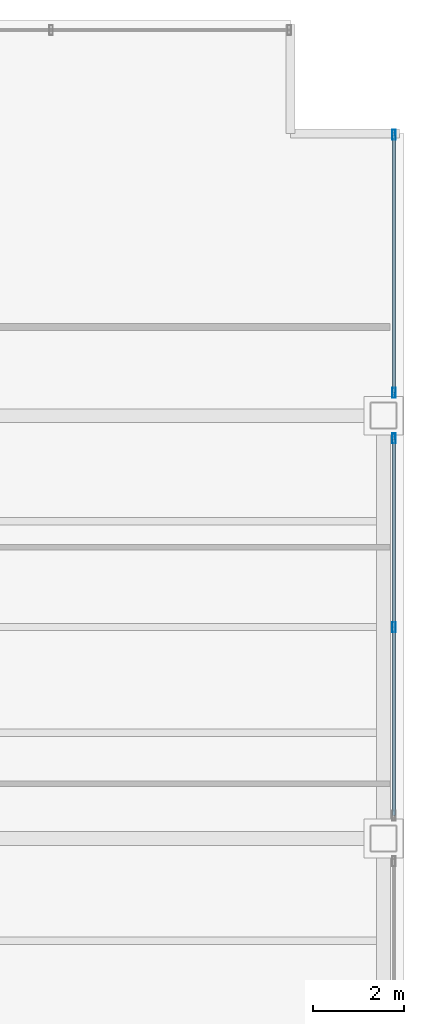
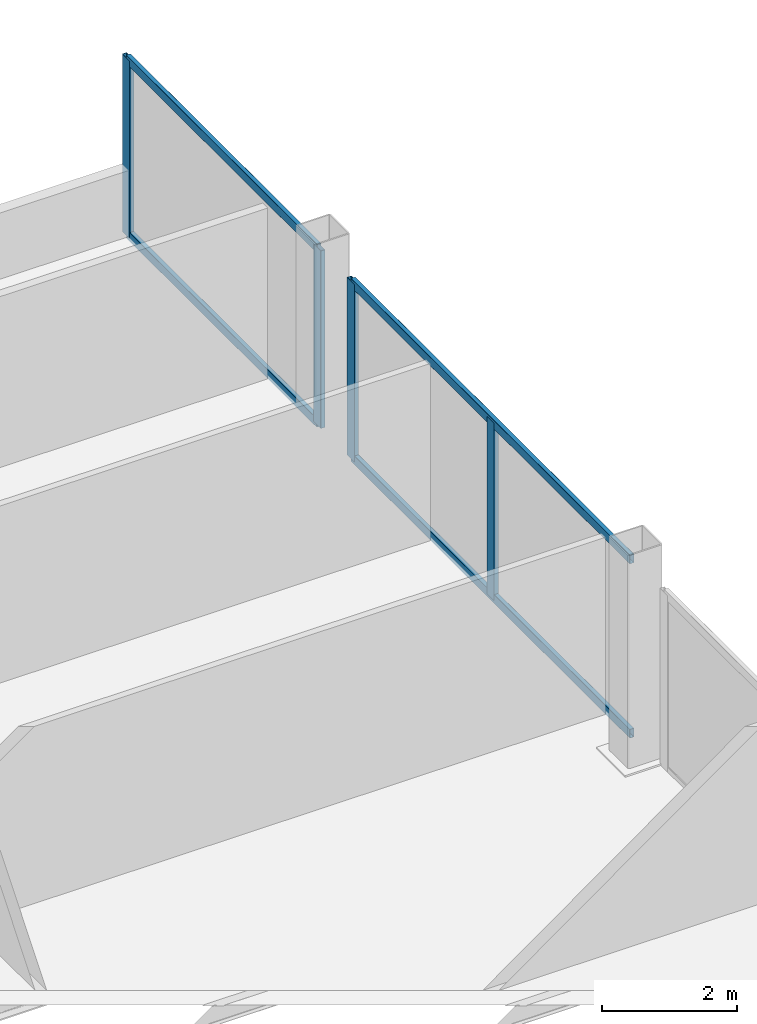
# One storey, part 12 of 20: 8 members, 2 elements without a shape of their own.
"""IFC4 building model written with IfcOpenShell, lengths in metres."""

from ifc_helpers import new_model, si_unit, direction, frame, origin, origin_2d, place, context, subcontext, project, spatial, hollow_rectangle, extrude, material, material_profile, profile_set, type_object, element, aggregate, save


model = new_model("IFC4")

# Units and contexts
model_context = context("Model", 3, precision=1e-05, world=origin(), true_north=direction((0.0, 1.0)))
body_context = subcontext(model_context, "Body", "Model", "MODEL_VIEW")
ifc_project = project(units=[si_unit("LENGTHUNIT", "METRE"), si_unit("AREAUNIT", "SQUARE_METRE"), si_unit("VOLUMEUNIT", "CUBIC_METRE"), si_unit("PLANEANGLEUNIT", "RADIAN"), si_unit("MASSUNIT", "GRAM", prefix="KILO")], contexts=[model_context])

# Site, building, storey
site_placement = place(None, origin())
site = spatial("IfcSite", under=ifc_project, at=site_placement, CompositionType="ELEMENT")
building_placement = place(site_placement, origin())
building = spatial("IfcBuilding", under=site, at=building_placement, Name="Noeulbin Bourse Tower", CompositionType="ELEMENT")
storey_placement = place(building_placement, frame((0.0, 0.0, 69.39990234375)))
storey = spatial("IfcBuildingStorey", under=building, at=storey_placement, Name="L17", CompositionType="ELEMENT", Elevation=69.39990234375)

# Curtain wall, members
ifc_material_1 = material(Name="Dark Solar-Control Double Glazing", Category="glass")
curtain_wall_type = type_object("IfcCurtainWallType", Name="CW-SYS-2", PredefinedType="NOTDEFINED", material=ifc_material_1)
curtain_wall_1_placement = place(storey_placement, origin())
curtain_wall_1 = element("IfcCurtainWall", 1, at=curtain_wall_1_placement, inside=storey, type_object=curtain_wall_type, Name="Unitised Curtain Wall CW-L17-E-S3", PredefinedType="NOTDEFINED")
ifc_material_2 = material(Name="Anodised Aluminium 6063-T6", Category="aluminium")
ifc_material_profile_1 = material_profile(ifc_material_2, hollow_rectangle(XDim=0.074951171875, YDim=0.219970703125, WallThickness=0.0048828125, InnerFilletRadius=0.00244140625, OuterFilletRadius=0.0048828125, at=origin_2d()), Name="ALU-MULL-75x220x5", Category="LoadBearing")
ifc_profile_set_1 = profile_set([ifc_material_profile_1], Name="Anodised Aluminium 6063-T6")
member_type_1 = type_object("IfcMemberType", Name="CW-SYS-2-MUL", PredefinedType="MULLION", material=ifc_profile_set_1)
member_1_placement = place(storey_placement, frame((57.280029296875, 33.64990234375, -0.02001953125), z_axis=(0.0, 0.0, 1.0), x_axis=(1.0, 0.0, 0.0)))
member_1 = element("IfcMember", 2, at=member_1_placement, type_object=member_type_1, Name="Curtain Wall Mullion CW-L17-E-S3-M01", PredefinedType="MULLION", context=body_context, shape_type="SweptSolid", body=[
    extrude(hollow_rectangle(XDim=0.074951171875, YDim=0.219970703125, WallThickness=0.0048828125, InnerFilletRadius=0.00244140625, OuterFilletRadius=0.0048828125, at=origin_2d()), origin(), (0.0, 0.0, 1.0), 3.22021484375),
])
member_2_placement = place(storey_placement, frame((57.280029296875, 37.800048828125, -0.02001953125), z_axis=(0.0, 0.0, 1.0), x_axis=(1.0, 0.0, 0.0)))
member_2 = element("IfcMember", 3, at=member_2_placement, type_object=member_type_1, Name="Curtain Wall Mullion CW-L17-E-S3-M02", PredefinedType="MULLION", context=body_context, shape_type="SweptSolid", body=[
    extrude(hollow_rectangle(XDim=0.074951171875, YDim=0.219970703125, WallThickness=0.0048828125, InnerFilletRadius=0.00244140625, OuterFilletRadius=0.0048828125, at=origin_2d()), origin(), (0.0, 0.0, 1.0), 3.22021484375),
])

curtain_wall_2_placement = place(storey_placement, origin())
curtain_wall_2 = element("IfcCurtainWall", 4, at=curtain_wall_2_placement, inside=storey, type_object=curtain_wall_type, Name="Unitised Curtain Wall CW-L17-E-S4", PredefinedType="NOTDEFINED")
member_3_placement = place(storey_placement, frame((57.280029296875, 38.800048828125, -0.02001953125), z_axis=(0.0, 0.0, 1.0), x_axis=(1.0, 0.0, 0.0)))
member_3 = element("IfcMember", 5, at=member_3_placement, type_object=member_type_1, Name="Curtain Wall Mullion CW-L17-E-S4-M00", PredefinedType="MULLION", context=body_context, shape_type="SweptSolid", body=[
    extrude(hollow_rectangle(XDim=0.074951171875, YDim=0.219970703125, WallThickness=0.0048828125, InnerFilletRadius=0.00244140625, OuterFilletRadius=0.0048828125, at=origin_2d()), origin(), (0.0, 0.0, 1.0), 3.22021484375),
])
member_4_placement = place(storey_placement, frame((57.280029296875, 44.47998046875, -0.02001953125), z_axis=(0.0, 0.0, 1.0), x_axis=(1.0, 0.0, 0.0)))
member_4 = element("IfcMember", 6, at=member_4_placement, type_object=member_type_1, Name="Curtain Wall Mullion CW-L17-E-S4-M01", PredefinedType="MULLION", context=body_context, shape_type="SweptSolid", body=[
    extrude(hollow_rectangle(XDim=0.074951171875, YDim=0.219970703125, WallThickness=0.0048828125, InnerFilletRadius=0.00244140625, OuterFilletRadius=0.0048828125, at=origin_2d()), origin(), (0.0, 0.0, 1.0), 3.22021484375),
])

# Member
ifc_material_profile_2 = material_profile(ifc_material_2, hollow_rectangle(XDim=0.074951171875, YDim=0.159912109375, WallThickness=0.0048828125, InnerFilletRadius=0.00244140625, OuterFilletRadius=0.0048828125, at=origin_2d()), Name="ALU-TRAN-75x160x5", Category="LoadBearing")
ifc_profile_set_2 = profile_set([ifc_material_profile_2], Name="Anodised Aluminium 6063-T6")
member_type_2 = type_object("IfcMemberType", Name="CW-SYS-2-TRN", PredefinedType="USERDEFINED", material=ifc_profile_set_2)
member_5_placement = place(storey_placement, frame((57.280029296875, 29.510009765625, 0.010009765625), z_axis=(0.0, 1.0, 0.0), x_axis=(-1.0, 0.0, 0.0)))
member_5 = element("IfcMember", 7, at=member_5_placement, type_object=member_type_2, Name="Curtain Wall Transom CW-L17-E-S3-T00", ObjectType="TRANSOM", PredefinedType="USERDEFINED", context=body_context, shape_type="SweptSolid", body=[
    extrude(hollow_rectangle(XDim=0.074951171875, YDim=0.159912109375, WallThickness=0.0048828125, InnerFilletRadius=0.00244140625, OuterFilletRadius=0.0048828125, at=origin_2d()), origin(), (0.0, 0.0, 1.0), 8.280029296875),
])

member_6_placement = place(storey_placement, frame((57.280029296875, 29.510009765625, 3.170166015625), z_axis=(0.0, 1.0, 0.0), x_axis=(-1.0, 0.0, 0.0)))
member_6 = element("IfcMember", 8, at=member_6_placement, type_object=member_type_2, Name="Curtain Wall Transom CW-L17-E-S3-T01", ObjectType="TRANSOM", PredefinedType="USERDEFINED", context=body_context, shape_type="SweptSolid", body=[
    extrude(hollow_rectangle(XDim=0.074951171875, YDim=0.159912109375, WallThickness=0.0048828125, InnerFilletRadius=0.00244140625, OuterFilletRadius=0.0048828125, at=origin_2d()), origin(), (0.0, 0.0, 1.0), 8.280029296875),
])

aggregate(curtain_wall_1, [member_1, member_2, member_5, member_6])

member_7_placement = place(storey_placement, frame((57.280029296875, 38.81005859375, 0.010009765625), z_axis=(0.0, 1.0, 0.0), x_axis=(-1.0, 0.0, 0.0)))
member_7 = element("IfcMember", 9, at=member_7_placement, type_object=member_type_2, Name="Curtain Wall Transom CW-L17-E-S4-T00", ObjectType="TRANSOM", PredefinedType="USERDEFINED", context=body_context, shape_type="SweptSolid", body=[
    extrude(hollow_rectangle(XDim=0.074951171875, YDim=0.159912109375, WallThickness=0.0048828125, InnerFilletRadius=0.00244140625, OuterFilletRadius=0.0048828125, at=origin_2d()), origin(), (0.0, 0.0, 1.0), 5.659912109375),
])

member_8_placement = place(storey_placement, frame((57.280029296875, 38.81005859375, 3.170166015625), z_axis=(0.0, 1.0, 0.0), x_axis=(-1.0, 0.0, 0.0)))
member_8 = element("IfcMember", 10, at=member_8_placement, type_object=member_type_2, Name="Curtain Wall Transom CW-L17-E-S4-T01", ObjectType="TRANSOM", PredefinedType="USERDEFINED", context=body_context, shape_type="SweptSolid", body=[
    extrude(hollow_rectangle(XDim=0.074951171875, YDim=0.159912109375, WallThickness=0.0048828125, InnerFilletRadius=0.00244140625, OuterFilletRadius=0.0048828125, at=origin_2d()), origin(), (0.0, 0.0, 1.0), 5.659912109375),
])

aggregate(curtain_wall_2, [member_3, member_4, member_7, member_8])

save(model, "model.ifc")
